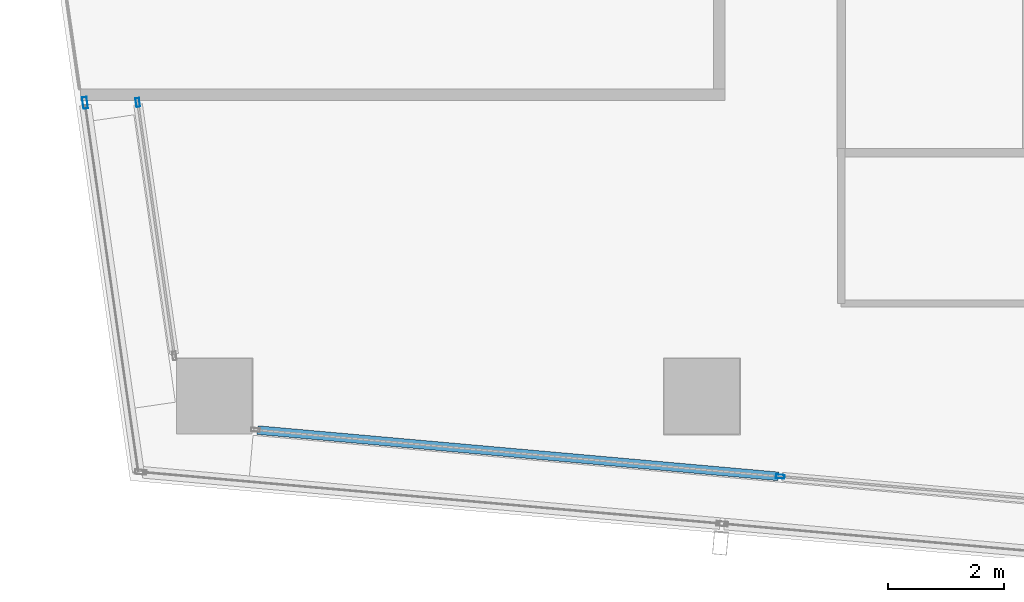
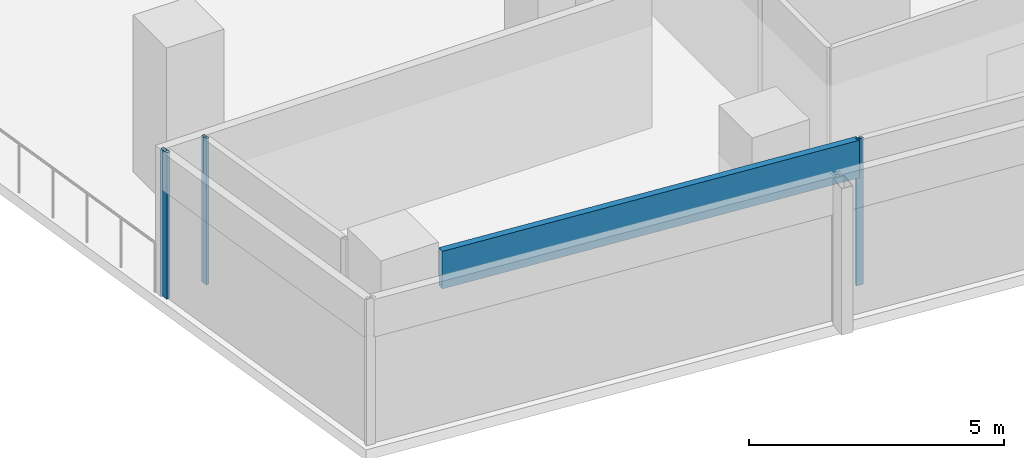
# One storey, part 3 of 28: 4 members, 3 elements without a shape of their own.
"""IFC4 building model written with IfcOpenShell, lengths in metres."""

import ifcopenshell
import ifcopenshell.guid

model = None  # the IFC model being written
_history = None  # IfcOwnerHistory: only IFC2X3 demands one
_inside = {}  # id of a spatial element -> (the spatial element, [elements in it])
_under = {}  # id of a project, library or spatial element -> (it, [spatial elements below it])
_declared = {}  # id of a project -> (the project, [libraries it declares])
_typed = {}  # id of a type object -> (the type object, [elements of that type])
_made_of = {}  # id of a material, layer set ... -> (it, [elements and type objects made of it])


def new_model(schema):
    """Start an empty IFC model of exactly this schema.

    Asked for "IFC4X3", IfcOpenShell would pick the latest addendum, in which some entities
    have other attributes; the version numbers below select the first issue.
    IFC2X3 requires an IfcOwnerHistory on every rooted entity: one is made here for all.
    """
    global model, _history
    if schema == "IFC4X3":
        model = ifcopenshell.file(schema_version=(4, 3, 0, 0))
    else:
        model = ifcopenshell.file(schema=schema)
    _inside.clear()
    _under.clear()
    _declared.clear()
    _typed.clear()
    _made_of.clear()
    _history = None
    if model.schema == "IFC2X3":
        org = make("IfcOrganization", Name="unknown")
        user = make(
            "IfcPersonAndOrganization",
            ThePerson=make("IfcPerson", FamilyName="unknown"),
            TheOrganization=org,
        )
        app = make(
            "IfcApplication",
            ApplicationDeveloper=org,
            Version="unknown",
            ApplicationFullName="unknown",
            ApplicationIdentifier="unknown",
        )
        _history = make(
            "IfcOwnerHistory",
            OwningUser=user,
            OwningApplication=app,
            ChangeAction="ADDED",
            CreationDate=0,
        )
    return model


def make(cls, **values):
    """One entity of the class cls with the attributes given. An attribute that is None is left unset."""
    return model.create_entity(
        cls, **{name: value for name, value in values.items() if value is not None}
    )


def rooted(cls, **values):
    """An entity with a GlobalId (a new one), such as an element, a storey or a relation."""
    return make(cls, GlobalId=ifcopenshell.guid.new(), OwnerHistory=_history, **values)


def si_unit(unit_type, name, prefix=None):
    """IfcSIUnit, for example si_unit("LENGTHUNIT", "METRE", prefix="MILLI")."""
    return make("IfcSIUnit", UnitType=unit_type, Prefix=prefix, Name=name)


def assignment(units):
    """IfcUnitAssignment: the units of a project."""
    return None if units is None else make("IfcUnitAssignment", Units=units)


def point(xyz):
    """IfcCartesianPoint."""
    return None if xyz is None else make("IfcCartesianPoint", Coordinates=xyz)


def direction(xyz):
    """IfcDirection."""
    return None if xyz is None else make("IfcDirection", DirectionRatios=xyz)


def frame(location, z_axis=None, x_axis=None):
    """IfcAxis2Placement3D, a coordinate frame: its origin and axes. An axis left out is left unset."""
    return make(
        "IfcAxis2Placement3D",
        Location=point(location),
        Axis=direction(z_axis),
        RefDirection=direction(x_axis),
    )


def frame_2d(location, x_axis=None):
    """IfcAxis2Placement2D, a coordinate frame in the plane: its origin and x axis."""
    return make(
        "IfcAxis2Placement2D", Location=point(location), RefDirection=direction(x_axis)
    )


def origin():
    """The frame at (0, 0, 0) with its axes left unset."""
    return frame((0.0, 0.0, 0.0))


def origin_2d():
    """The frame at (0, 0) in the plane with its x axis left unset."""
    return frame_2d((0.0, 0.0))


def place(relative_to, where):
    """IfcLocalPlacement: puts the frame where relative to a parent placement (None: the world)."""
    return make(
        "IfcLocalPlacement", PlacementRelTo=relative_to, RelativePlacement=where
    )


def context(
    kind, dimensions, precision=None, world=None, true_north=None, identifier=None
):
    """IfcGeometricRepresentationContext, for example the 3D "Model" context."""
    return make(
        "IfcGeometricRepresentationContext",
        ContextIdentifier=identifier,
        ContextType=kind,
        CoordinateSpaceDimension=dimensions,
        Precision=precision,
        WorldCoordinateSystem=world,
        TrueNorth=true_north,
    )


def subcontext(parent, identifier, kind, view, scale=None):
    """IfcGeometricRepresentationSubContext, for example "Body" below "Model"."""
    return make(
        "IfcGeometricRepresentationSubContext",
        ContextIdentifier=identifier,
        ContextType=kind,
        ParentContext=parent,
        TargetScale=scale,
        TargetView=view,
    )


def project(units=None, contexts=None):
    """IfcProject with its units and contexts."""
    return rooted(
        "IfcProject",
        Name="project",
        RepresentationContexts=contexts,
        UnitsInContext=assignment(units),
    )


def spatial(cls, under=None, at=None, **own):
    """A site, building, storey or space (cls), placed at a placement, below another one or the project."""
    s = rooted(cls, ObjectPlacement=at, **own)
    if under is not None:
        _under.setdefault(under.id(), (under, []))[1].append(s)
    return s


def profile(cls, at=None, kind="AREA", **sizes):
    """A parametric profile (cls). Its sizes go by their IFC names, for example OverallWidth=200.0."""
    return make(cls, ProfileType=kind, Position=at, **sizes)


def hollow_rectangle(**sizes):
    """IfcRectangleHollowProfileDef."""
    return profile("IfcRectangleHollowProfileDef", **sizes)


def extrude(swept, where, along, depth):
    """IfcExtrudedAreaSolid: the profile swept, set in the frame where, extruded along a direction by depth."""
    return make(
        "IfcExtrudedAreaSolid",
        SweptArea=swept,
        Position=where,
        ExtrudedDirection=direction(along),
        Depth=depth,
    )


def shape(context_of_items, identifier, shape_type, items):
    """IfcShapeRepresentation: the items that make up one representation, for example the "Body"."""
    return make(
        "IfcShapeRepresentation",
        ContextOfItems=context_of_items,
        RepresentationIdentifier=identifier,
        RepresentationType=shape_type,
        Items=items,
    )


def material(Name=None, Category=None):
    """IfcMaterial."""
    return make("IfcMaterial", Name=Name, Category=Category)


def material_profile(
    of_material, cross_section, Name=None, Category=None, Priority=None
):
    """IfcMaterialProfile: a cross section and its material."""
    return make(
        "IfcMaterialProfile",
        Name=Name,
        Material=of_material,
        Profile=cross_section,
        Priority=Priority,
        Category=Category,
    )


def profile_set(profiles, Name=None, composite=None):
    """IfcMaterialProfileSet."""
    return make(
        "IfcMaterialProfileSet",
        Name=Name,
        MaterialProfiles=profiles,
        CompositeProfile=composite,
    )


def made_of(thing, what):
    """Note that an element or type object is made of a material, layer set ...; save() writes the relation."""
    if what is not None:
        _made_of.setdefault(what.id(), (what, []))[1].append(thing)
    return thing


def type_object(cls, material=None, **own):
    """A type object (cls), such as IfcWallType, which elements share."""
    return made_of(rooted(cls, **own), material)


def element(
    cls,
    number,
    at=None,
    inside=None,
    cuts=None,
    type_object=None,
    material=None,
    context=None,
    identifier="Body",
    shape_type=None,
    held_by="IfcProductDefinitionShape",
    body=None,
    shapes=None,
    **own,
):
    """One element of the class cls, such as IfcWall. Its Tag is "e" and its number.

    at: its placement. inside: the storey or other place that contains it. cuts: it is an
    opening in that element (IfcRelVoidsElement). A single representation is given by context,
    identifier, shape_type and body (its items); several are given by shapes. held_by: the class
    of the entity that holds the representations. save() writes the other relations.
    """
    e = rooted(cls, Tag="e%d" % number, ObjectPlacement=at, **own)
    if body is not None:
        shapes = [shape(context, identifier, shape_type, body)]
    if shapes is not None:
        e.Representation = make(held_by, Representations=shapes)
    if inside is not None:
        _inside.setdefault(inside.id(), (inside, []))[1].append(e)
    if cuts is not None:
        rooted(
            "IfcRelVoidsElement", RelatingBuildingElement=cuts, RelatedOpeningElement=e
        )
    if type_object is not None:
        _typed.setdefault(type_object.id(), (type_object, []))[1].append(e)
    return made_of(e, material)


def aggregate(whole, parts):
    """IfcRelAggregates: a whole, such as a stair, and the parts it consists of."""
    return rooted("IfcRelAggregates", RelatingObject=whole, RelatedObjects=parts)


def save(model, path):
    """Write the relations noted so far, then the file.

    IfcRelAggregates (storeys below a building ...), IfcRelContainedInSpatialStructure (elements
    in a storey), IfcRelDefinesByType, IfcRelAssociatesMaterial and IfcRelDeclares: one each for
    every whole, place, type object, material and project.
    """
    for whole, parts in _under.values():
        aggregate(whole, parts)
    for where, things in _inside.values():
        rooted(
            "IfcRelContainedInSpatialStructure",
            RelatedElements=things,
            RelatingStructure=where,
        )
    for kind, things in _typed.values():
        rooted("IfcRelDefinesByType", RelatedObjects=things, RelatingType=kind)
    for what, things in _made_of.values():
        rooted("IfcRelAssociatesMaterial", RelatedObjects=things, RelatingMaterial=what)
    for by, libraries in _declared.values():
        rooted("IfcRelDeclares", RelatingContext=by, RelatedDefinitions=libraries)
    model.write(path)


model = new_model("IFC4")

# Units and contexts
model_context = context("Model", 3, precision=1e-05, world=origin(), true_north=direction((0.0, 1.0)))
body_context = subcontext(model_context, "Body", "Model", "MODEL_VIEW")
ifc_project = project(units=[si_unit("LENGTHUNIT", "METRE"), si_unit("AREAUNIT", "SQUARE_METRE"), si_unit("VOLUMEUNIT", "CUBIC_METRE"), si_unit("PLANEANGLEUNIT", "RADIAN"), si_unit("MASSUNIT", "GRAM", prefix="KILO")], contexts=[model_context])

# Site, building, storey
site_placement = place(None, origin())
site = spatial("IfcSite", under=ifc_project, at=site_placement, CompositionType="ELEMENT")
building_placement = place(site_placement, origin())
building = spatial("IfcBuilding", under=site, at=building_placement, Name="Rekha Terrace Tower", CompositionType="ELEMENT")
storey_placement = place(building_placement, frame((0.0, 0.0, 268.85009765625)))
storey = spatial("IfcBuildingStorey", under=building, at=storey_placement, Name="L68", CompositionType="ELEMENT", Elevation=268.85009765625)

# Curtain wall, member
ifc_material_1 = material(Name="Aluminium framing", Category="aluminium")
curtain_wall_type_1 = type_object("IfcCurtainWallType", Name="CW1 double skin inner glazing", PredefinedType="USERDEFINED", material=ifc_material_1)
curtain_wall_1_placement = place(storey_placement, origin())
curtain_wall_1 = element("IfcCurtainWall", 1, at=curtain_wall_1_placement, inside=storey, type_object=curtain_wall_type_1, Name="CW1 double skin inner glazing", ObjectType="DOUBLE SKIN INNER GLAZING", PredefinedType="USERDEFINED")
ifc_material_2 = material(Name="Aluminium mullion section", Category="aluminium")
ifc_material_profile_1 = material_profile(ifc_material_2, hollow_rectangle(XDim=0.06494140625, YDim=0.14990234375, WallThickness=0.00390625, at=origin_2d()), Name="AL RHS 65x150")
ifc_profile_set_1 = profile_set([ifc_material_profile_1], Name="Aluminium mullion section")
member_type_1 = type_object("IfcMemberType", Name="CW1 mullion RHS 65 x 150", PredefinedType="MULLION", material=ifc_profile_set_1)
member_1_placement = place(storey_placement, frame((18.1494140625, 15.4189453125, 0.0), z_axis=(0.0, 0.0, 1.0), x_axis=(0.088522441405, 0.996074182663, 0.0)))
member_1 = element("IfcMember", 2, at=member_1_placement, type_object=member_type_1, Name="CW1 mullion 2", PredefinedType="MULLION", context=body_context, shape_type="SweptSolid", body=[
    extrude(hollow_rectangle(XDim=0.06494140625, YDim=0.14990234375, WallThickness=0.00390625, at=origin_2d()), origin(), (0.0, 0.0, 1.0), 3.5),
])

curtain_wall_2_placement = place(storey_placement, origin())
curtain_wall_2 = element("IfcCurtainWall", 3, at=curtain_wall_2_placement, inside=storey, type_object=curtain_wall_type_1, Name="CW1 double skin inner glazing", ObjectType="DOUBLE SKIN INNER GLAZING", PredefinedType="USERDEFINED")
member_2_placement = place(storey_placement, frame((7.0791015625, 21.86474609375, 0.0), z_axis=(0.0, 0.0, 1.0), x_axis=(0.989707031399, 0.143108322609, 0.0)))
member_2 = element("IfcMember", 4, at=member_2_placement, type_object=member_type_1, Name="CW1 mullion 1", PredefinedType="MULLION", context=body_context, shape_type="SweptSolid", body=[
    extrude(hollow_rectangle(XDim=0.06494140625, YDim=0.14990234375, WallThickness=0.00390625, at=origin_2d()), origin(), (0.0, 0.0, 1.0), 3.5),
])
aggregate(curtain_wall_2, [member_2])

# Member
ifc_material_3 = material(Name="Insulated aluminium spandrel box", Category="aluminium")
ifc_material_profile_2 = material_profile(ifc_material_3, hollow_rectangle(XDim=0.14990234375, YDim=0.89990234375, WallThickness=0.0029296875, at=origin_2d()), Name="AL SPANDREL BOX 150x900")
ifc_profile_set_2 = profile_set([ifc_material_profile_2], Name="Insulated aluminium spandrel box")
member_type_2 = type_object("IfcMemberType", Name="CW1 spandrel transom 150 x 900", PredefinedType="USERDEFINED", material=ifc_profile_set_2)
member_3_placement = place(storey_placement, frame((9.1416015625, 16.219482421875, 3.0498046875), z_axis=(0.996072428294, -0.088542179732, 0.0), x_axis=(0.088542179732, 0.996072428294, 0.0)))
member_3 = element("IfcMember", 5, at=member_3_placement, type_object=member_type_2, Name="CW1 spandrel transom 1", ObjectType="TRANSOM", PredefinedType="USERDEFINED", context=body_context, shape_type="SweptSolid", body=[
    extrude(hollow_rectangle(XDim=0.14990234375, YDim=0.89990234375, WallThickness=0.0029296875, at=origin_2d()), origin(), (0.0, 0.0, 1.0), 9.010986328125),
])

aggregate(curtain_wall_1, [member_1, member_3])

# Curtain wall, member
curtain_wall_type_2 = type_object("IfcCurtainWallType", Name="CW2 double skin outer glazing", PredefinedType="USERDEFINED", material=ifc_material_1)
curtain_wall_3_placement = place(storey_placement, origin())
curtain_wall_3 = element("IfcCurtainWall", 6, at=curtain_wall_3_placement, inside=storey, type_object=curtain_wall_type_2, Name="CW2 double skin outer glazing", ObjectType="DOUBLE SKIN OUTER GLAZING", PredefinedType="USERDEFINED")
ifc_material_profile_3 = material_profile(ifc_material_2, hollow_rectangle(XDim=0.080078125, YDim=0.199951171875, WallThickness=0.00390625, at=origin_2d()), Name="AL RHS 80x200")
ifc_profile_set_3 = profile_set([ifc_material_profile_3], Name="Aluminium mullion section")
member_type_3 = type_object("IfcMemberType", Name="CW2 mullion RHS 80 x 200", PredefinedType="MULLION", material=ifc_profile_set_3)
member_4_placement = place(storey_placement, frame((6.170654296875, 21.857421875, 0.0), z_axis=(0.0, 0.0, 1.0), x_axis=(0.989707031381, 0.14310832273, 0.0)))
member_4 = element("IfcMember", 7, at=member_4_placement, type_object=member_type_3, Name="CW2 mullion 1", PredefinedType="MULLION", context=body_context, shape_type="SweptSolid", body=[
    extrude(hollow_rectangle(XDim=0.080078125, YDim=0.199951171875, WallThickness=0.00390625, at=origin_2d()), origin(), (0.0, 0.0, 1.0), 3.5),
])
aggregate(curtain_wall_3, [member_4])

save(model, "model.ifc")
